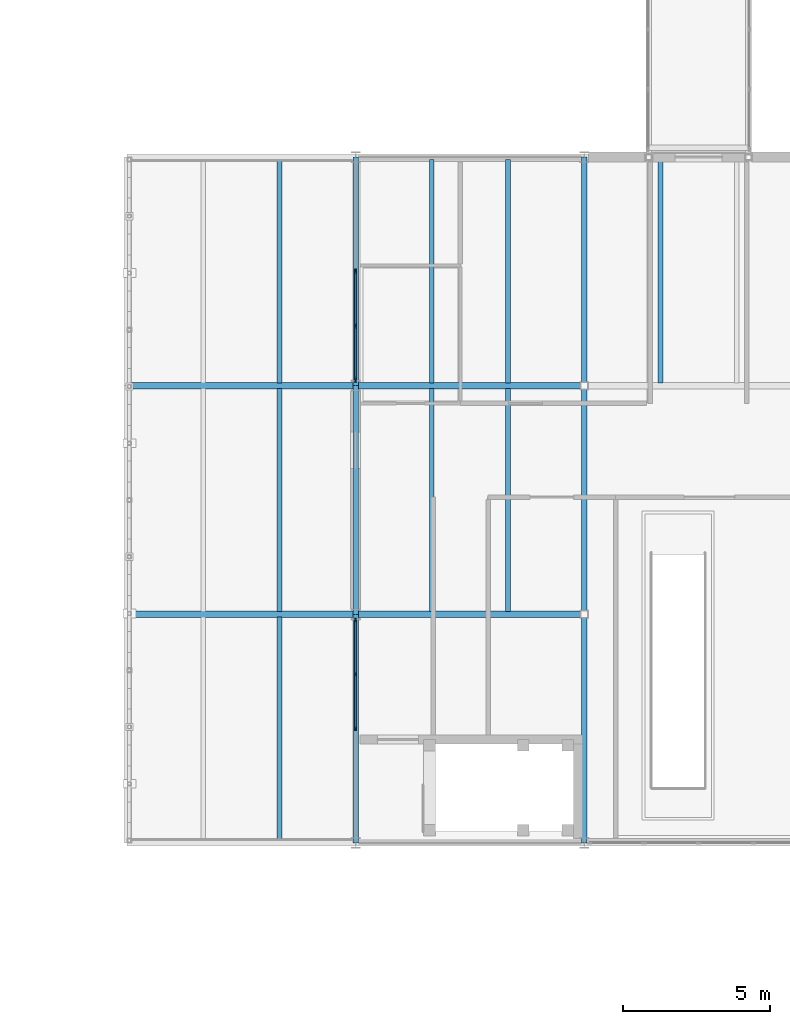
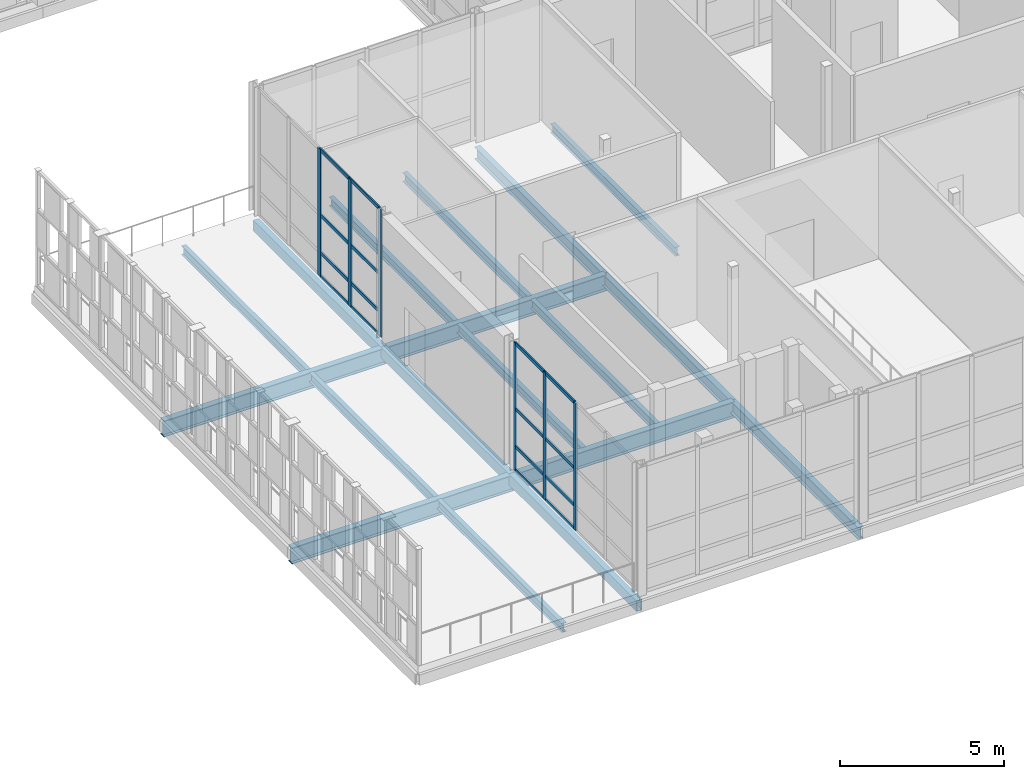
# One storey, part 65 of 138: 22 members, 18 beams, 2 elements without a shape of their own.
"""IFC4 building model written with IfcOpenShell, lengths in metres."""

from ifc_helpers import new_model, si_unit, direction, frame, origin, origin_2d, place, context, subcontext, project, spatial, rectangle, hollow_rectangle, i_section, extrude, material, layer, layer_set, material_profile, profile_set, type_object, element, aggregate, save


model = new_model("IFC4")

# Units and contexts
model_context = context("Model", 3, precision=1e-05, world=origin(), true_north=direction((0.0, 1.0)))
body_context = subcontext(model_context, "Body", "Model", "MODEL_VIEW")
ifc_project = project(units=[si_unit("LENGTHUNIT", "METRE"), si_unit("AREAUNIT", "SQUARE_METRE"), si_unit("VOLUMEUNIT", "CUBIC_METRE"), si_unit("PLANEANGLEUNIT", "RADIAN"), si_unit("MASSUNIT", "GRAM", prefix="KILO")], contexts=[model_context])

# Site, building, storey
site_placement = place(None, origin())
site = spatial("IfcSite", under=ifc_project, at=site_placement, CompositionType="ELEMENT")
building_placement = place(site_placement, origin())
building = spatial("IfcBuilding", under=site, at=building_placement, Name="Celorna Specialist Clinic", CompositionType="ELEMENT")
storey_placement = place(building_placement, frame((0.0, 0.0, 4.800048828125)))
storey = spatial("IfcBuildingStorey", under=building, at=storey_placement, Name="L01", CompositionType="ELEMENT", Elevation=4.800048828125)

# Beams
ifc_material_1 = material(Name="Steel S355", Category="steel")
ifc_material_profile_1 = material_profile(ifc_material_1, i_section(OverallWidth=0.219970703125, OverallDepth=0.60009765625, WebThickness=0.011962890625, FlangeThickness=0.01904296875, at=origin_2d()), Name="IPE 600")
ifc_profile_set_1 = profile_set([ifc_material_profile_1], Name="Steel S355")
beam_type_1 = type_object("IfcBeamType", Name="BM-06", PredefinedType="BEAM", material=ifc_profile_set_1)
for number, where, z_axis, x_axis, name in (
    (1, (132.60009765625, 67.800048828125, -0.56005859375), (1.0, 0.0, 0.0), (0.0, 1.0, 0.0), "Primary girder BM-06 #615"),
    (2, (132.60009765625, 75.60009765625, -0.56005859375), (1.0, 0.0, 0.0), (0.0, 1.0, 0.0), "Primary girder BM-06 #619"),
):
    element("IfcBeam", number, at=place(storey_placement, frame(where, z_axis=z_axis, x_axis=x_axis)), inside=storey, type_object=beam_type_1, Name=name, PredefinedType="BEAM", context=body_context, shape_type="SweptSolid", body=[
        extrude(i_section(OverallWidth=0.219970703125, OverallDepth=0.60009765625, WebThickness=0.011962890625, FlangeThickness=0.01904296875, at=origin_2d()), origin(), (0.0, 0.0, 1.0), 7.7998046875),
    ])
for number, where, z_axis, x_axis, name in (
    (3, (124.800048828125, 67.800048828125, -0.56005859375), (1.0, 0.0, 0.0), (0.0, 1.0, 0.0), "Primary girder BM-06 #2235"),
    (4, (124.800048828125, 75.60009765625, -0.56005859375), (1.0, 0.0, 0.0), (0.0, 1.0, 0.0), "Primary girder BM-06 #2236"),
):
    element("IfcBeam", number, at=place(storey_placement, frame(where, z_axis=z_axis, x_axis=x_axis)), inside=storey, type_object=beam_type_1, Name=name, PredefinedType="BEAM", context=body_context, shape_type="SweptSolid", body=[
        extrude(i_section(OverallWidth=0.219970703125, OverallDepth=0.60009765625, WebThickness=0.011962890625, FlangeThickness=0.01904296875, at=origin_2d()), origin(), (0.0, 0.0, 1.0), 7.800048828125),
    ])
ifc_material_profile_2 = material_profile(ifc_material_1, i_section(OverallWidth=0.18994140625, OverallDepth=0.449951171875, WebThickness=0.009521484375, FlangeThickness=0.0146484375, at=origin_2d()), Name="IPE 450")
ifc_profile_set_2 = profile_set([ifc_material_profile_2], Name="Steel S355")
beam_type_2 = type_object("IfcBeamType", Name="BM-09", PredefinedType="BEAM", material=ifc_profile_set_2)
for number, where, z_axis, x_axis, name in (
    (5, (140.39990234375, 60.0, -0.485107421875), (0.0, 1.0, 0.0), (-1.0, 0.0, 0.0), "Transverse girder BM-09 #632"),
    (6, (140.39990234375, 67.800048828125, -0.485107421875), (0.0, 1.0, 0.0), (-1.0, 0.0, 0.0), "Transverse girder BM-09 #633"),
):
    element("IfcBeam", number, at=place(storey_placement, frame(where, z_axis=z_axis, x_axis=x_axis)), inside=storey, type_object=beam_type_2, Name=name, PredefinedType="BEAM", context=body_context, shape_type="SweptSolid", body=[
        extrude(i_section(OverallWidth=0.18994140625, OverallDepth=0.449951171875, WebThickness=0.009521484375, FlangeThickness=0.0146484375, at=origin_2d()), origin(), (0.0, 0.0, 1.0), 7.800048828125),
    ])
beam_1_placement = place(storey_placement, frame((140.39990234375, 75.60009765625, -0.485107421875), z_axis=(0.0, 1.0, 0.0), x_axis=(-1.0, 0.0, 0.0)))
element("IfcBeam", 7, at=beam_1_placement, inside=storey, type_object=beam_type_2, Name="Transverse girder BM-09 #634", PredefinedType="BEAM", context=body_context, shape_type="SweptSolid", body=[
    extrude(i_section(OverallWidth=0.18994140625, OverallDepth=0.449951171875, WebThickness=0.009521484375, FlangeThickness=0.0146484375, at=origin_2d()), origin(), (0.0, 0.0, 1.0), 7.7998046875),
])
ifc_material_profile_3 = material_profile(ifc_material_1, i_section(OverallWidth=0.159912109375, OverallDepth=0.330078125, WebThickness=0.007568359375, FlangeThickness=0.011474609375, at=origin_2d()), Name="IPE 330")
ifc_profile_set_3 = profile_set([ifc_material_profile_3], Name="Steel S355")
beam_type_3 = type_object("IfcBeamType", Name="BM-12", PredefinedType="JOIST", material=ifc_profile_set_3)
for number, where, z_axis, x_axis, name in (
    (8, (135.199951171875, 67.887939453125, -0.425048828125), (0.0, 1.0, 0.0), (-1.0, 0.0, 0.0), "Secondary floor joist BM-12 #647"),
    (9, (137.800048828125, 67.887939453125, -0.425048828125), (0.0, 1.0, 0.0), (-1.0, 0.0, 0.0), "Secondary floor joist BM-12 #648"),
    (10, (135.199951171875, 75.68798828125, -0.425048828125), (0.0, 1.0, 0.0), (-1.0, 0.0, 0.0), "Secondary floor joist BM-12 #649"),
    (11, (137.800048828125, 75.68798828125, -0.425048828125), (0.0, 1.0, 0.0), (-1.0, 0.0, 0.0), "Secondary floor joist BM-12 #650"),
    (12, (143.0, 75.68798828125, -0.425048828125), (0.0, 1.0, 0.0), (-1.0, 0.0, 0.0), "Secondary floor joist BM-12 #651"),
    (13, (130.0, 60.087890625, -0.425048828125), (0.0, 1.0, 0.0), (-1.0, 0.0, 0.0), "Secondary floor joist BM-12 #2242"),
    (14, (130.0, 67.887939453125, -0.425048828125), (0.0, 1.0, 0.0), (-1.0, 0.0, 0.0), "Secondary floor joist BM-12 #2244"),
    (15, (130.0, 75.68798828125, -0.425048828125), (0.0, 1.0, 0.0), (-1.0, 0.0, 0.0), "Secondary floor joist BM-12 #2246"),
):
    element("IfcBeam", number, at=place(storey_placement, frame(where, z_axis=z_axis, x_axis=x_axis)), inside=storey, type_object=beam_type_3, Name=name, PredefinedType="JOIST", context=body_context, shape_type="SweptSolid", body=[
        extrude(i_section(OverallWidth=0.159912109375, OverallDepth=0.330078125, WebThickness=0.007568359375, FlangeThickness=0.011474609375, at=origin_2d()), origin(), (0.0, 0.0, 1.0), 7.6240234375),
    ])
ifc_material_profile_4 = material_profile(ifc_material_1, hollow_rectangle(XDim=0.199951171875, YDim=0.39990234375, WallThickness=0.011962890625, at=origin_2d()), Name="RHS 200x400x12")
ifc_profile_set_4 = profile_set([ifc_material_profile_4], Name="Steel S355")
beam_type_4 = type_object("IfcBeamType", Name="BM-15", PredefinedType="SPANDREL", material=ifc_profile_set_4)
for number, where, z_axis, x_axis, name in (
    (16, (132.60009765625, 60.0, -0.4599609375), (0.0, 1.0, 0.0), (-1.0, 0.0, 0.0), "Spandrel beam BM-15 #629"),
    (17, (132.60009765625, 67.800048828125, -0.4599609375), (0.0, 1.0, 0.0), (-1.0, 0.0, 0.0), "Spandrel beam BM-15 #630"),
):
    element("IfcBeam", number, at=place(storey_placement, frame(where, z_axis=z_axis, x_axis=x_axis)), inside=storey, type_object=beam_type_4, Name=name, PredefinedType="SPANDREL", context=body_context, shape_type="SweptSolid", body=[
        extrude(hollow_rectangle(XDim=0.199951171875, YDim=0.39990234375, WallThickness=0.011962890625, at=origin_2d()), origin(), (0.0, 0.0, 1.0), 7.800048828125),
    ])
beam_2_placement = place(storey_placement, frame((132.60009765625, 75.60009765625, -0.4599609375), z_axis=(0.0, 1.0, 0.0), x_axis=(-1.0, 0.0, 0.0)))
element("IfcBeam", 18, at=beam_2_placement, inside=storey, type_object=beam_type_4, Name="Spandrel beam BM-15 #631", PredefinedType="SPANDREL", context=body_context, shape_type="SweptSolid", body=[
    extrude(hollow_rectangle(XDim=0.199951171875, YDim=0.39990234375, WallThickness=0.011962890625, at=origin_2d()), origin(), (0.0, 0.0, 1.0), 7.7998046875),
])

# Curtain wall, members
ifc_material_2 = material(Name="Thermally broken aluminium and solar-control glass curtain wall", Category="aluminium")
ifc_layer_1 = layer(ifc_material_2, 0.159912109375, Name="Thermally broken aluminium and solar-control glass curtain wall")
ifc_layer_set_1 = layer_set([ifc_layer_1], Name="Thermally broken aluminium and solar-control glass curtain wall")
curtain_wall_type_1 = type_object("IfcCurtainWallType", Name="CW-45", PredefinedType="NOTDEFINED", material=ifc_layer_set_1)
curtain_wall_1_placement = place(storey_placement, origin())
curtain_wall_1 = element("IfcCurtainWall", 19, at=curtain_wall_1_placement, inside=storey, type_object=curtain_wall_type_1, Name="Curtain wall CW-45 #85", PredefinedType="NOTDEFINED")
ifc_material_3 = material(Name="Anodized aluminium mullion", Category="aluminium")
ifc_material_profile_5 = material_profile(ifc_material_3, rectangle(XDim=0.050048828125, YDim=0.179931640625, at=origin_2d()), Name="ALU MULLION 50x180")
ifc_profile_set_5 = profile_set([ifc_material_profile_5], Name="Anodized aluminium mullion")
member_type_1 = type_object("IfcMemberType", Name="ML-02", PredefinedType="MULLION", material=ifc_profile_set_5)
member_1_placement = place(storey_placement, frame((132.60009765625, 75.80908203125, 0.0), z_axis=(0.0, 0.0, 1.0), x_axis=(-1.0, 0.0, 0.0)))
member_1 = element("IfcMember", 20, at=member_1_placement, type_object=member_type_1, Name="CW-45 mullion 1", PredefinedType="MULLION", context=body_context, shape_type="SweptSolid", body=[
    extrude(rectangle(XDim=0.050048828125, YDim=0.179931640625, at=origin_2d()), origin(), (0.0, 0.0, 1.0), 4.75),
])
member_2_placement = place(storey_placement, frame((132.60009765625, 77.64208984375, 0.0), z_axis=(0.0, 0.0, 1.0), x_axis=(-1.0, 0.0, 0.0)))
member_2 = element("IfcMember", 21, at=member_2_placement, type_object=member_type_1, Name="CW-45 mullion 2", PredefinedType="MULLION", context=body_context, shape_type="SweptSolid", body=[
    extrude(rectangle(XDim=0.050048828125, YDim=0.179931640625, at=origin_2d()), origin(), (0.0, 0.0, 1.0), 4.75),
])
member_3_placement = place(storey_placement, frame((132.60009765625, 79.5, 0.0), z_axis=(0.0, 0.0, 1.0), x_axis=(-1.0, 0.0, 0.0)))
member_3 = element("IfcMember", 22, at=member_3_placement, type_object=member_type_1, Name="CW-45 mullion 3", PredefinedType="MULLION", context=body_context, shape_type="SweptSolid", body=[
    extrude(rectangle(XDim=0.050048828125, YDim=0.179931640625, at=origin_2d()), origin(), (0.0, 0.0, 1.0), 4.75),
])

ifc_layer_2 = layer(ifc_material_2, 0.159912109375, Name="Thermally broken aluminium and solar-control glass curtain wall")
ifc_layer_set_2 = layer_set([ifc_layer_2], Name="Thermally broken aluminium and solar-control glass curtain wall")
curtain_wall_type_2 = type_object("IfcCurtainWallType", Name="CW-44", PredefinedType="NOTDEFINED", material=ifc_layer_set_2)
curtain_wall_2_placement = place(storey_placement, origin())
curtain_wall_2 = element("IfcCurtainWall", 23, at=curtain_wall_2_placement, inside=storey, type_object=curtain_wall_type_2, Name="Curtain wall CW-44 #84", PredefinedType="NOTDEFINED")
ifc_material_profile_6 = material_profile(ifc_material_3, rectangle(XDim=0.050048828125, YDim=0.139892578125, at=origin_2d()), Name="ALU MULLION 50x140")
ifc_profile_set_6 = profile_set([ifc_material_profile_6], Name="Anodized aluminium mullion")
member_type_2 = type_object("IfcMemberType", Name="ML-03", PredefinedType="MULLION", material=ifc_profile_set_6)
member_4_placement = place(storey_placement, frame((132.60009765625, 63.89990234375, 0.0), z_axis=(0.0, 0.0, 1.0), x_axis=(-1.0, 0.0, 0.0)))
member_4 = element("IfcMember", 24, at=member_4_placement, type_object=member_type_2, Name="CW-44 mullion 3", PredefinedType="MULLION", context=body_context, shape_type="SweptSolid", body=[
    extrude(rectangle(XDim=0.050048828125, YDim=0.139892578125, at=origin_2d()), origin(), (0.0, 0.0, 1.0), 4.75),
])
member_5_placement = place(storey_placement, frame((132.60009765625, 65.758056640625, 0.0), z_axis=(0.0, 0.0, 1.0), x_axis=(-1.0, 0.0, 0.0)))
member_5 = element("IfcMember", 25, at=member_5_placement, type_object=member_type_2, Name="CW-44 mullion 4", PredefinedType="MULLION", context=body_context, shape_type="SweptSolid", body=[
    extrude(rectangle(XDim=0.050048828125, YDim=0.139892578125, at=origin_2d()), origin(), (0.0, 0.0, 1.0), 4.75),
])
member_6_placement = place(storey_placement, frame((132.60009765625, 67.591064453125, 0.0), z_axis=(0.0, 0.0, 1.0), x_axis=(-1.0, 0.0, 0.0)))
member_6 = element("IfcMember", 26, at=member_6_placement, type_object=member_type_2, Name="CW-44 mullion 5", PredefinedType="MULLION", context=body_context, shape_type="SweptSolid", body=[
    extrude(rectangle(XDim=0.050048828125, YDim=0.139892578125, at=origin_2d()), origin(), (0.0, 0.0, 1.0), 4.75),
])
ifc_material_4 = material(Name="Anodized aluminium transom", Category="aluminium")
ifc_material_profile_7 = material_profile(ifc_material_4, rectangle(XDim=0.050048828125, YDim=0.1298828125, at=origin_2d()), Name="ALU TRANSOM 50x130")
ifc_profile_set_7 = profile_set([ifc_material_profile_7], Name="Anodized aluminium transom")
member_type_3 = type_object("IfcMemberType", Name="TR-01", PredefinedType="USERDEFINED", material=ifc_profile_set_7)
member_7_placement = place(storey_placement, frame((132.60009765625, 63.925048828125, 0.02490234375), z_axis=(0.0, 1.0, 0.0), x_axis=(-1.0, 0.0, 0.0)))
member_7 = element("IfcMember", 27, at=member_7_placement, type_object=member_type_3, Name="CW-44 transom 3.1", ObjectType="TRANSOM", PredefinedType="USERDEFINED", context=body_context, shape_type="SweptSolid", body=[
    extrude(rectangle(XDim=0.050048828125, YDim=0.1298828125, at=origin_2d()), origin(), (0.0, 0.0, 1.0), 1.807861328125),
])
member_8_placement = place(storey_placement, frame((132.60009765625, 63.925048828125, 0.89990234375), z_axis=(0.0, 1.0, 0.0), x_axis=(-1.0, 0.0, 0.0)))
member_8 = element("IfcMember", 28, at=member_8_placement, type_object=member_type_3, Name="CW-44 transom 3.2", ObjectType="TRANSOM", PredefinedType="USERDEFINED", context=body_context, shape_type="SweptSolid", body=[
    extrude(rectangle(XDim=0.050048828125, YDim=0.1298828125, at=origin_2d()), origin(), (0.0, 0.0, 1.0), 1.807861328125),
])
member_9_placement = place(storey_placement, frame((132.60009765625, 63.925048828125, 2.300048828125), z_axis=(0.0, 1.0, 0.0), x_axis=(-1.0, 0.0, 0.0)))
member_9 = element("IfcMember", 29, at=member_9_placement, type_object=member_type_3, Name="CW-44 transom 3.3", ObjectType="TRANSOM", PredefinedType="USERDEFINED", context=body_context, shape_type="SweptSolid", body=[
    extrude(rectangle(XDim=0.050048828125, YDim=0.1298828125, at=origin_2d()), origin(), (0.0, 0.0, 1.0), 1.807861328125),
])
member_10_placement = place(storey_placement, frame((132.60009765625, 63.925048828125, 4.724853515625), z_axis=(0.0, 1.0, 0.0), x_axis=(-1.0, 0.0, 0.0)))
member_10 = element("IfcMember", 30, at=member_10_placement, type_object=member_type_3, Name="CW-44 transom 3.4", ObjectType="TRANSOM", PredefinedType="USERDEFINED", context=body_context, shape_type="SweptSolid", body=[
    extrude(rectangle(XDim=0.050048828125, YDim=0.1298828125, at=origin_2d()), origin(), (0.0, 0.0, 1.0), 1.807861328125),
])
member_11_placement = place(storey_placement, frame((132.60009765625, 65.782958984375, 0.02490234375), z_axis=(0.0, 1.0, 0.0), x_axis=(-1.0, 0.0, 0.0)))
member_11 = element("IfcMember", 31, at=member_11_placement, type_object=member_type_3, Name="CW-44 transom 4.1", ObjectType="TRANSOM", PredefinedType="USERDEFINED", context=body_context, shape_type="SweptSolid", body=[
    extrude(rectangle(XDim=0.050048828125, YDim=0.1298828125, at=origin_2d()), origin(), (0.0, 0.0, 1.0), 1.782958984375),
])
member_12_placement = place(storey_placement, frame((132.60009765625, 65.782958984375, 0.89990234375), z_axis=(0.0, 1.0, 0.0), x_axis=(-1.0, 0.0, 0.0)))
member_12 = element("IfcMember", 32, at=member_12_placement, type_object=member_type_3, Name="CW-44 transom 4.2", ObjectType="TRANSOM", PredefinedType="USERDEFINED", context=body_context, shape_type="SweptSolid", body=[
    extrude(rectangle(XDim=0.050048828125, YDim=0.1298828125, at=origin_2d()), origin(), (0.0, 0.0, 1.0), 1.782958984375),
])
member_13_placement = place(storey_placement, frame((132.60009765625, 65.782958984375, 2.300048828125), z_axis=(0.0, 1.0, 0.0), x_axis=(-1.0, 0.0, 0.0)))
member_13 = element("IfcMember", 33, at=member_13_placement, type_object=member_type_3, Name="CW-44 transom 4.3", ObjectType="TRANSOM", PredefinedType="USERDEFINED", context=body_context, shape_type="SweptSolid", body=[
    extrude(rectangle(XDim=0.050048828125, YDim=0.1298828125, at=origin_2d()), origin(), (0.0, 0.0, 1.0), 1.782958984375),
])
member_14_placement = place(storey_placement, frame((132.60009765625, 65.782958984375, 4.724853515625), z_axis=(0.0, 1.0, 0.0), x_axis=(-1.0, 0.0, 0.0)))
member_14 = element("IfcMember", 34, at=member_14_placement, type_object=member_type_3, Name="CW-44 transom 4.4", ObjectType="TRANSOM", PredefinedType="USERDEFINED", context=body_context, shape_type="SweptSolid", body=[
    extrude(rectangle(XDim=0.050048828125, YDim=0.1298828125, at=origin_2d()), origin(), (0.0, 0.0, 1.0), 1.782958984375),
])
aggregate(curtain_wall_2, [member_4, member_5, member_6, member_7, member_8, member_9, member_10, member_11, member_12, member_13, member_14])

# Member
member_15_placement = place(storey_placement, frame((132.60009765625, 75.833984375, 0.02490234375), z_axis=(0.0, 1.0, 0.0), x_axis=(-1.0, 0.0, 0.0)))
member_15 = element("IfcMember", 35, at=member_15_placement, type_object=member_type_3, Name="CW-45 transom 1.1", ObjectType="TRANSOM", PredefinedType="USERDEFINED", context=body_context, shape_type="SweptSolid", body=[
    extrude(rectangle(XDim=0.050048828125, YDim=0.1298828125, at=origin_2d()), origin(), (0.0, 0.0, 1.0), 1.782958984375),
])

member_16_placement = place(storey_placement, frame((132.60009765625, 75.833984375, 0.89990234375), z_axis=(0.0, 1.0, 0.0), x_axis=(-1.0, 0.0, 0.0)))
member_16 = element("IfcMember", 36, at=member_16_placement, type_object=member_type_3, Name="CW-45 transom 1.2", ObjectType="TRANSOM", PredefinedType="USERDEFINED", context=body_context, shape_type="SweptSolid", body=[
    extrude(rectangle(XDim=0.050048828125, YDim=0.1298828125, at=origin_2d()), origin(), (0.0, 0.0, 1.0), 1.782958984375),
])

member_17_placement = place(storey_placement, frame((132.60009765625, 75.833984375, 2.300048828125), z_axis=(0.0, 1.0, 0.0), x_axis=(-1.0, 0.0, 0.0)))
member_17 = element("IfcMember", 37, at=member_17_placement, type_object=member_type_3, Name="CW-45 transom 1.3", ObjectType="TRANSOM", PredefinedType="USERDEFINED", context=body_context, shape_type="SweptSolid", body=[
    extrude(rectangle(XDim=0.050048828125, YDim=0.1298828125, at=origin_2d()), origin(), (0.0, 0.0, 1.0), 1.782958984375),
])

member_18_placement = place(storey_placement, frame((132.60009765625, 75.833984375, 4.724853515625), z_axis=(0.0, 1.0, 0.0), x_axis=(-1.0, 0.0, 0.0)))
member_18 = element("IfcMember", 38, at=member_18_placement, type_object=member_type_3, Name="CW-45 transom 1.4", ObjectType="TRANSOM", PredefinedType="USERDEFINED", context=body_context, shape_type="SweptSolid", body=[
    extrude(rectangle(XDim=0.050048828125, YDim=0.1298828125, at=origin_2d()), origin(), (0.0, 0.0, 1.0), 1.782958984375),
])

member_19_placement = place(storey_placement, frame((132.60009765625, 77.6669921875, 0.02490234375), z_axis=(0.0, 1.0, 0.0), x_axis=(-1.0, 0.0, 0.0)))
member_19 = element("IfcMember", 39, at=member_19_placement, type_object=member_type_3, Name="CW-45 transom 2.1", ObjectType="TRANSOM", PredefinedType="USERDEFINED", context=body_context, shape_type="SweptSolid", body=[
    extrude(rectangle(XDim=0.050048828125, YDim=0.1298828125, at=origin_2d()), origin(), (0.0, 0.0, 1.0), 1.80810546875),
])

member_20_placement = place(storey_placement, frame((132.60009765625, 77.6669921875, 0.89990234375), z_axis=(0.0, 1.0, 0.0), x_axis=(-1.0, 0.0, 0.0)))
member_20 = element("IfcMember", 40, at=member_20_placement, type_object=member_type_3, Name="CW-45 transom 2.2", ObjectType="TRANSOM", PredefinedType="USERDEFINED", context=body_context, shape_type="SweptSolid", body=[
    extrude(rectangle(XDim=0.050048828125, YDim=0.1298828125, at=origin_2d()), origin(), (0.0, 0.0, 1.0), 1.80810546875),
])

member_21_placement = place(storey_placement, frame((132.60009765625, 77.6669921875, 2.300048828125), z_axis=(0.0, 1.0, 0.0), x_axis=(-1.0, 0.0, 0.0)))
member_21 = element("IfcMember", 41, at=member_21_placement, type_object=member_type_3, Name="CW-45 transom 2.3", ObjectType="TRANSOM", PredefinedType="USERDEFINED", context=body_context, shape_type="SweptSolid", body=[
    extrude(rectangle(XDim=0.050048828125, YDim=0.1298828125, at=origin_2d()), origin(), (0.0, 0.0, 1.0), 1.80810546875),
])

member_22_placement = place(storey_placement, frame((132.60009765625, 77.6669921875, 4.724853515625), z_axis=(0.0, 1.0, 0.0), x_axis=(-1.0, 0.0, 0.0)))
member_22 = element("IfcMember", 42, at=member_22_placement, type_object=member_type_3, Name="CW-45 transom 2.4", ObjectType="TRANSOM", PredefinedType="USERDEFINED", context=body_context, shape_type="SweptSolid", body=[
    extrude(rectangle(XDim=0.050048828125, YDim=0.1298828125, at=origin_2d()), origin(), (0.0, 0.0, 1.0), 1.80810546875),
])

aggregate(curtain_wall_1, [member_1, member_2, member_3, member_15, member_16, member_17, member_18, member_19, member_20, member_21, member_22])

save(model, "model.ifc")
